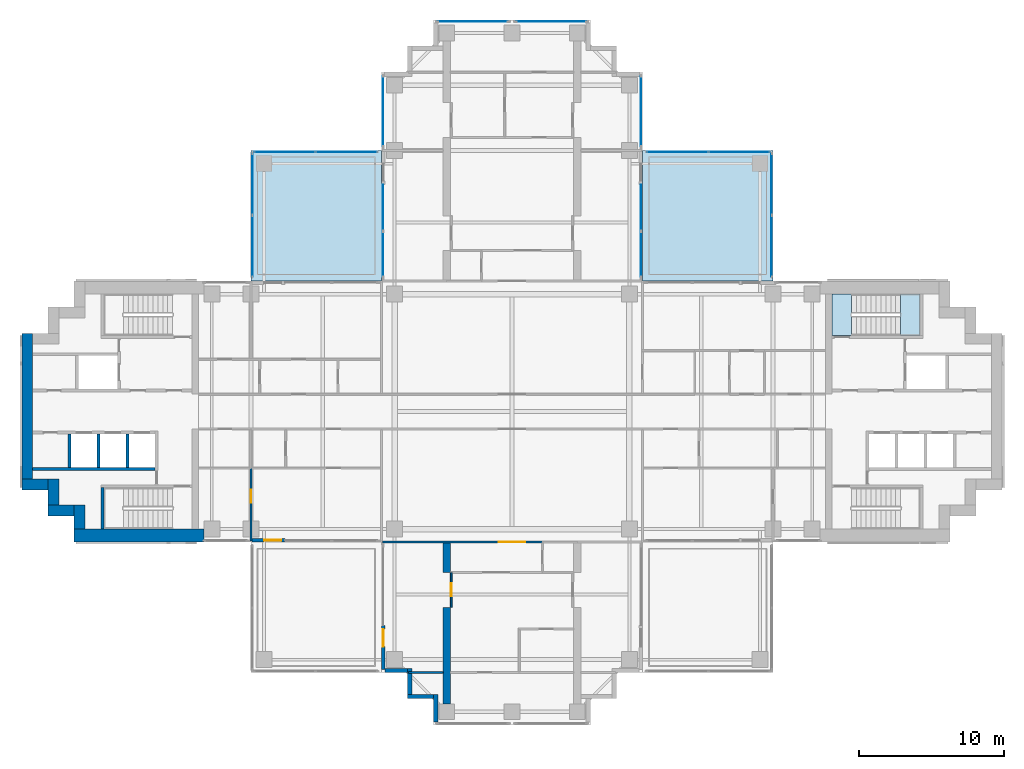
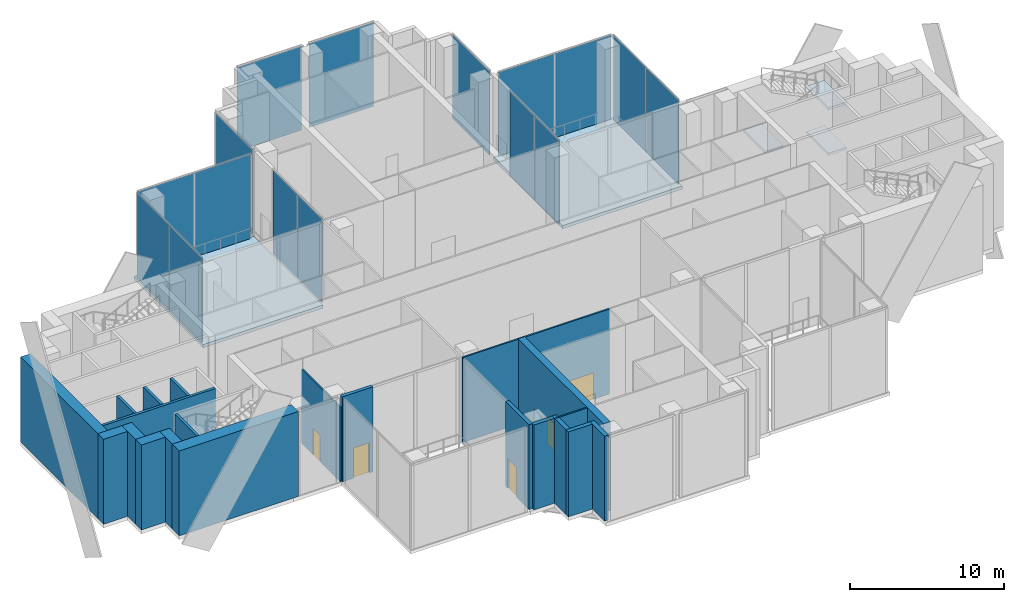
# One storey, part 8 of 17: 22 walls, 16 plates, 5 doors, 5 slabs, 5 openings, 11 elements without a shape of their own.
"""IFC4 building model written with IfcOpenShell, lengths in metres."""

import ifcopenshell
import ifcopenshell.guid

model = None  # the IFC model being written
_history = None  # IfcOwnerHistory: only IFC2X3 demands one
_inside = {}  # id of a spatial element -> (the spatial element, [elements in it])
_under = {}  # id of a project, library or spatial element -> (it, [spatial elements below it])
_declared = {}  # id of a project -> (the project, [libraries it declares])
_typed = {}  # id of a type object -> (the type object, [elements of that type])
_made_of = {}  # id of a material, layer set ... -> (it, [elements and type objects made of it])


def new_model(schema):
    """Start an empty IFC model of exactly this schema.

    Asked for "IFC4X3", IfcOpenShell would pick the latest addendum, in which some entities
    have other attributes; the version numbers below select the first issue.
    IFC2X3 requires an IfcOwnerHistory on every rooted entity: one is made here for all.
    """
    global model, _history
    if schema == "IFC4X3":
        model = ifcopenshell.file(schema_version=(4, 3, 0, 0))
    else:
        model = ifcopenshell.file(schema=schema)
    _inside.clear()
    _under.clear()
    _declared.clear()
    _typed.clear()
    _made_of.clear()
    _history = None
    if model.schema == "IFC2X3":
        org = make("IfcOrganization", Name="unknown")
        user = make(
            "IfcPersonAndOrganization",
            ThePerson=make("IfcPerson", FamilyName="unknown"),
            TheOrganization=org,
        )
        app = make(
            "IfcApplication",
            ApplicationDeveloper=org,
            Version="unknown",
            ApplicationFullName="unknown",
            ApplicationIdentifier="unknown",
        )
        _history = make(
            "IfcOwnerHistory",
            OwningUser=user,
            OwningApplication=app,
            ChangeAction="ADDED",
            CreationDate=0,
        )
    return model


def make(cls, **values):
    """One entity of the class cls with the attributes given. An attribute that is None is left unset."""
    return model.create_entity(
        cls, **{name: value for name, value in values.items() if value is not None}
    )


def rooted(cls, **values):
    """An entity with a GlobalId (a new one), such as an element, a storey or a relation."""
    return make(cls, GlobalId=ifcopenshell.guid.new(), OwnerHistory=_history, **values)


def si_unit(unit_type, name, prefix=None):
    """IfcSIUnit, for example si_unit("LENGTHUNIT", "METRE", prefix="MILLI")."""
    return make("IfcSIUnit", UnitType=unit_type, Prefix=prefix, Name=name)


def assignment(units):
    """IfcUnitAssignment: the units of a project."""
    return None if units is None else make("IfcUnitAssignment", Units=units)


def point(xyz):
    """IfcCartesianPoint."""
    return None if xyz is None else make("IfcCartesianPoint", Coordinates=xyz)


def direction(xyz):
    """IfcDirection."""
    return None if xyz is None else make("IfcDirection", DirectionRatios=xyz)


def frame(location, z_axis=None, x_axis=None):
    """IfcAxis2Placement3D, a coordinate frame: its origin and axes. An axis left out is left unset."""
    return make(
        "IfcAxis2Placement3D",
        Location=point(location),
        Axis=direction(z_axis),
        RefDirection=direction(x_axis),
    )


def frame_2d(location, x_axis=None):
    """IfcAxis2Placement2D, a coordinate frame in the plane: its origin and x axis."""
    return make(
        "IfcAxis2Placement2D", Location=point(location), RefDirection=direction(x_axis)
    )


def origin():
    """The frame at (0, 0, 0) with its axes left unset."""
    return frame((0.0, 0.0, 0.0))


def origin_2d():
    """The frame at (0, 0) in the plane with its x axis left unset."""
    return frame_2d((0.0, 0.0))


def place(relative_to, where):
    """IfcLocalPlacement: puts the frame where relative to a parent placement (None: the world)."""
    return make(
        "IfcLocalPlacement", PlacementRelTo=relative_to, RelativePlacement=where
    )


def context(
    kind, dimensions, precision=None, world=None, true_north=None, identifier=None
):
    """IfcGeometricRepresentationContext, for example the 3D "Model" context."""
    return make(
        "IfcGeometricRepresentationContext",
        ContextIdentifier=identifier,
        ContextType=kind,
        CoordinateSpaceDimension=dimensions,
        Precision=precision,
        WorldCoordinateSystem=world,
        TrueNorth=true_north,
    )


def subcontext(parent, identifier, kind, view, scale=None):
    """IfcGeometricRepresentationSubContext, for example "Body" below "Model"."""
    return make(
        "IfcGeometricRepresentationSubContext",
        ContextIdentifier=identifier,
        ContextType=kind,
        ParentContext=parent,
        TargetScale=scale,
        TargetView=view,
    )


def project(units=None, contexts=None):
    """IfcProject with its units and contexts."""
    return rooted(
        "IfcProject",
        Name="project",
        RepresentationContexts=contexts,
        UnitsInContext=assignment(units),
    )


def spatial(cls, under=None, at=None, **own):
    """A site, building, storey or space (cls), placed at a placement, below another one or the project."""
    s = rooted(cls, ObjectPlacement=at, **own)
    if under is not None:
        _under.setdefault(under.id(), (under, []))[1].append(s)
    return s


def polyline(points):
    """IfcPolyline through the points."""
    return make("IfcPolyline", Points=[point(p) for p in points])


def profile(cls, at=None, kind="AREA", **sizes):
    """A parametric profile (cls). Its sizes go by their IFC names, for example OverallWidth=200.0."""
    return make(cls, ProfileType=kind, Position=at, **sizes)


def rectangle(**sizes):
    """IfcRectangleProfileDef."""
    return profile("IfcRectangleProfileDef", **sizes)


def outline(outer, holes=None, kind="AREA"):
    """IfcArbitraryClosedProfileDef: a profile drawn as a closed curve; with holes, ...WithVoids."""
    if holes is None:
        return make("IfcArbitraryClosedProfileDef", ProfileType=kind, OuterCurve=outer)
    return make(
        "IfcArbitraryProfileDefWithVoids",
        ProfileType=kind,
        OuterCurve=outer,
        InnerCurves=holes,
    )


def extrude(swept, where, along, depth):
    """IfcExtrudedAreaSolid: the profile swept, set in the frame where, extruded along a direction by depth."""
    return make(
        "IfcExtrudedAreaSolid",
        SweptArea=swept,
        Position=where,
        ExtrudedDirection=direction(along),
        Depth=depth,
    )


def shape(context_of_items, identifier, shape_type, items):
    """IfcShapeRepresentation: the items that make up one representation, for example the "Body"."""
    return make(
        "IfcShapeRepresentation",
        ContextOfItems=context_of_items,
        RepresentationIdentifier=identifier,
        RepresentationType=shape_type,
        Items=items,
    )


def material(Name=None, Category=None):
    """IfcMaterial."""
    return make("IfcMaterial", Name=Name, Category=Category)


def layer(
    of_material, thickness, ventilated=None, Name=None, Category=None, Priority=None
):
    """IfcMaterialLayer: one layer of a wall or slab, of a material (None: an air gap)."""
    return make(
        "IfcMaterialLayer",
        Material=of_material,
        LayerThickness=thickness,
        IsVentilated=ventilated,
        Name=Name,
        Category=Category,
        Priority=Priority,
    )


def layer_set(layers, Name=None):
    """IfcMaterialLayerSet."""
    return make("IfcMaterialLayerSet", MaterialLayers=layers, LayerSetName=Name)


def material_profile(
    of_material, cross_section, Name=None, Category=None, Priority=None
):
    """IfcMaterialProfile: a cross section and its material."""
    return make(
        "IfcMaterialProfile",
        Name=Name,
        Material=of_material,
        Profile=cross_section,
        Priority=Priority,
        Category=Category,
    )


def profile_set(profiles, Name=None, composite=None):
    """IfcMaterialProfileSet."""
    return make(
        "IfcMaterialProfileSet",
        Name=Name,
        MaterialProfiles=profiles,
        CompositeProfile=composite,
    )


def made_of(thing, what):
    """Note that an element or type object is made of a material, layer set ...; save() writes the relation."""
    if what is not None:
        _made_of.setdefault(what.id(), (what, []))[1].append(thing)
    return thing


def type_object(cls, material=None, **own):
    """A type object (cls), such as IfcWallType, which elements share."""
    return made_of(rooted(cls, **own), material)


def element(
    cls,
    number,
    at=None,
    inside=None,
    cuts=None,
    type_object=None,
    material=None,
    context=None,
    identifier="Body",
    shape_type=None,
    held_by="IfcProductDefinitionShape",
    body=None,
    shapes=None,
    **own,
):
    """One element of the class cls, such as IfcWall. Its Tag is "e" and its number.

    at: its placement. inside: the storey or other place that contains it. cuts: it is an
    opening in that element (IfcRelVoidsElement). A single representation is given by context,
    identifier, shape_type and body (its items); several are given by shapes. held_by: the class
    of the entity that holds the representations. save() writes the other relations.
    """
    e = rooted(cls, Tag="e%d" % number, ObjectPlacement=at, **own)
    if body is not None:
        shapes = [shape(context, identifier, shape_type, body)]
    if shapes is not None:
        e.Representation = make(held_by, Representations=shapes)
    if inside is not None:
        _inside.setdefault(inside.id(), (inside, []))[1].append(e)
    if cuts is not None:
        rooted(
            "IfcRelVoidsElement", RelatingBuildingElement=cuts, RelatedOpeningElement=e
        )
    if type_object is not None:
        _typed.setdefault(type_object.id(), (type_object, []))[1].append(e)
    return made_of(e, material)


def fill(opening, filler):
    """IfcRelFillsElement: the door or window that sits in an opening."""
    return rooted(
        "IfcRelFillsElement",
        RelatingOpeningElement=opening,
        RelatedBuildingElement=filler,
    )


def aggregate(whole, parts):
    """IfcRelAggregates: a whole, such as a stair, and the parts it consists of."""
    return rooted("IfcRelAggregates", RelatingObject=whole, RelatedObjects=parts)


def save(model, path):
    """Write the relations noted so far, then the file.

    IfcRelAggregates (storeys below a building ...), IfcRelContainedInSpatialStructure (elements
    in a storey), IfcRelDefinesByType, IfcRelAssociatesMaterial and IfcRelDeclares: one each for
    every whole, place, type object, material and project.
    """
    for whole, parts in _under.values():
        aggregate(whole, parts)
    for where, things in _inside.values():
        rooted(
            "IfcRelContainedInSpatialStructure",
            RelatedElements=things,
            RelatingStructure=where,
        )
    for kind, things in _typed.values():
        rooted("IfcRelDefinesByType", RelatedObjects=things, RelatingType=kind)
    for what, things in _made_of.values():
        rooted("IfcRelAssociatesMaterial", RelatedObjects=things, RelatingMaterial=what)
    for by, libraries in _declared.values():
        rooted("IfcRelDeclares", RelatingContext=by, RelatedDefinitions=libraries)
    model.write(path)


model = new_model("IFC4")

# Units and contexts
model_context = context("Model", 3, precision=1e-05, world=origin(), true_north=direction((0.0, 1.0)))
body_context = subcontext(model_context, "Body", "Model", "MODEL_VIEW")
ifc_project = project(units=[si_unit("LENGTHUNIT", "METRE"), si_unit("AREAUNIT", "SQUARE_METRE"), si_unit("VOLUMEUNIT", "CUBIC_METRE"), si_unit("PLANEANGLEUNIT", "RADIAN"), si_unit("MASSUNIT", "GRAM", prefix="KILO")], contexts=[model_context])

# Site, building, storey
site_placement = place(None, origin())
site = spatial("IfcSite", under=ifc_project, at=site_placement, CompositionType="ELEMENT")
building_placement = place(site_placement, origin())
building = spatial("IfcBuilding", under=site, at=building_placement, Name="Perihelion Cross Residences", CompositionType="ELEMENT")
storey_placement = place(building_placement, frame((0.0, 0.0, 154.89990234375)))
storey = spatial("IfcBuildingStorey", under=building, at=storey_placement, Name="L38", CompositionType="ELEMENT", Elevation=154.89990234375)

# Curtain wall, plates
ifc_material_1 = material(Name="Bronze anodised aluminium, tinted glazing", Category="aluminium")
curtain_wall_type_1 = type_object("IfcCurtainWallType", Name="CW3", PredefinedType="NOTDEFINED", material=ifc_material_1)
curtain_wall_1_placement = place(storey_placement, origin())
curtain_wall_1 = element("IfcCurtainWall", 1, at=curtain_wall_1_placement, inside=storey, type_object=curtain_wall_type_1, Name="Curtain wall CW3 L38 north side east bay 1", PredefinedType="NOTDEFINED")
ifc_material_2 = material(Name="Tinted laminated glass", Category="glass")
ifc_layer_1 = layer(ifc_material_2, 0.035888671875)
ifc_layer_set_1 = layer_set([ifc_layer_1], Name="CW3 panel")
plate_type_1 = type_object("IfcPlateType", Name="CW3 panel", PredefinedType="CURTAIN_PANEL", material=ifc_layer_set_1)
plate_1_placement = place(storey_placement, frame((8.89990234375, 10.83251953125, 0.000244140625), z_axis=(0.0, 0.0, 1.0), x_axis=(0.0, 1.0, 0.0)))
plate_1 = element("IfcPlate", 2, at=plate_1_placement, type_object=plate_type_1, Name="CW3 panel 1", PredefinedType="CURTAIN_PANEL", context=body_context, shape_type="SweptSolid", body=[
    extrude(rectangle(XDim=3.10498046875, YDim=0.035888671875, at=origin_2d()), origin(), (0.0, 0.0, 1.0), 6.669921875),
])
plate_2_placement = place(storey_placement, frame((8.89990234375, 14.0576171875, 0.000244140625), z_axis=(0.0, 0.0, 1.0), x_axis=(0.0, 1.0, 0.0)))
plate_2 = element("IfcPlate", 3, at=plate_2_placement, type_object=plate_type_1, Name="CW3 panel 2", PredefinedType="CURTAIN_PANEL", context=body_context, shape_type="SweptSolid", body=[
    extrude(rectangle(XDim=3.18505859375, YDim=0.035888671875, at=origin_2d()), origin(), (0.0, 0.0, 1.0), 6.669921875),
])
aggregate(curtain_wall_1, [plate_1, plate_2])

# Curtain wall, plate
curtain_wall_2_placement = place(storey_placement, origin())
curtain_wall_2 = element("IfcCurtainWall", 4, at=curtain_wall_2_placement, inside=storey, type_object=curtain_wall_type_1, Name="Curtain wall CW3 L38 north side east bay 2", PredefinedType="NOTDEFINED")
plate_3_placement = place(storey_placement, frame((8.89990234375, 20.699951171875, 0.000244140625), z_axis=(0.0, 0.0, 1.0), x_axis=(0.0, 1.0, 0.0)))
plate_3 = element("IfcPlate", 5, at=plate_3_placement, type_object=plate_type_1, Name="CW3 panel 1", PredefinedType="CURTAIN_PANEL", context=body_context, shape_type="SweptSolid", body=[
    extrude(rectangle(XDim=4.840087890625, YDim=0.035888671875, at=origin_2d()), origin(), (0.0, 0.0, 1.0), 6.669921875),
])
aggregate(curtain_wall_2, [plate_3])

curtain_wall_3_placement = place(storey_placement, origin())
curtain_wall_3 = element("IfcCurtainWall", 6, at=curtain_wall_3_placement, inside=storey, type_object=curtain_wall_type_1, Name="Curtain wall CW3 L38 north tip north bay 1", PredefinedType="NOTDEFINED")
plate_4_placement = place(storey_placement, frame((2.699951171875, 26.89990234375, 0.000244140625), z_axis=(0.0, 0.0, 1.0), x_axis=(-1.0, 0.0, 0.0)))
plate_4 = element("IfcPlate", 7, at=plate_4_placement, type_object=plate_type_1, Name="CW3 panel 1", PredefinedType="CURTAIN_PANEL", context=body_context, shape_type="SweptSolid", body=[
    extrude(rectangle(XDim=4.840087890625, YDim=0.035888671875, at=origin_2d()), origin(), (0.0, 0.0, 1.0), 6.669921875),
])
aggregate(curtain_wall_3, [plate_4])

curtain_wall_4_placement = place(storey_placement, origin())
curtain_wall_4 = element("IfcCurtainWall", 8, at=curtain_wall_4_placement, inside=storey, type_object=curtain_wall_type_1, Name="Curtain wall CW3 L38 north tip north bay 2", PredefinedType="NOTDEFINED")
plate_5_placement = place(storey_placement, frame((-2.699951171875, 26.89990234375, 0.000244140625), z_axis=(0.0, 0.0, 1.0), x_axis=(-1.0, 0.0, 0.0)))
plate_5 = element("IfcPlate", 9, at=plate_5_placement, type_object=plate_type_1, Name="CW3 panel 1", PredefinedType="CURTAIN_PANEL", context=body_context, shape_type="SweptSolid", body=[
    extrude(rectangle(XDim=4.840087890625, YDim=0.035888671875, at=origin_2d()), origin(), (0.0, 0.0, 1.0), 6.669921875),
])
aggregate(curtain_wall_4, [plate_5])

curtain_wall_5_placement = place(storey_placement, origin())
curtain_wall_5 = element("IfcCurtainWall", 10, at=curtain_wall_5_placement, inside=storey, type_object=curtain_wall_type_1, Name="Curtain wall CW3 L38 north side west bay 1", PredefinedType="NOTDEFINED")
plate_6_placement = place(storey_placement, frame((-8.89990234375, 20.699951171875, 0.000244140625), z_axis=(0.0, 0.0, 1.0), x_axis=(0.0, -1.0, 0.0)))
plate_6 = element("IfcPlate", 11, at=plate_6_placement, type_object=plate_type_1, Name="CW3 panel 1", PredefinedType="CURTAIN_PANEL", context=body_context, shape_type="SweptSolid", body=[
    extrude(rectangle(XDim=4.840087890625, YDim=0.035888671875, at=origin_2d()), origin(), (0.0, 0.0, 1.0), 6.669921875),
])
aggregate(curtain_wall_5, [plate_6])

# Curtain wall, plates
curtain_wall_6_placement = place(storey_placement, origin())
curtain_wall_6 = element("IfcCurtainWall", 12, at=curtain_wall_6_placement, inside=storey, type_object=curtain_wall_type_1, Name="Curtain wall CW3 L38 north side west bay 2", PredefinedType="NOTDEFINED")
plate_7_placement = place(storey_placement, frame((-8.89990234375, 14.0576171875, 0.000244140625), z_axis=(0.0, 0.0, 1.0), x_axis=(0.0, -1.0, 0.0)))
plate_7 = element("IfcPlate", 13, at=plate_7_placement, type_object=plate_type_1, Name="CW3 panel 1", PredefinedType="CURTAIN_PANEL", context=body_context, shape_type="SweptSolid", body=[
    extrude(rectangle(XDim=3.18505859375, YDim=0.035888671875, at=origin_2d()), origin(), (0.0, 0.0, 1.0), 6.669921875),
])
plate_8_placement = place(storey_placement, frame((-8.89990234375, 10.83251953125, 0.000244140625), z_axis=(0.0, 0.0, 1.0), x_axis=(0.0, -1.0, 0.0)))
plate_8 = element("IfcPlate", 14, at=plate_8_placement, type_object=plate_type_1, Name="CW3 panel 2", PredefinedType="CURTAIN_PANEL", context=body_context, shape_type="SweptSolid", body=[
    extrude(rectangle(XDim=3.10498046875, YDim=0.035888671875, at=origin_2d()), origin(), (0.0, 0.0, 1.0), 6.669921875),
])
aggregate(curtain_wall_6, [plate_7, plate_8])

ifc_material_3 = material(Name="Bronze anodised aluminium, tinted glazing", Category="aluminium")
curtain_wall_type_2 = type_object("IfcCurtainWallType", Name="CW4", PredefinedType="NOTDEFINED", material=ifc_material_3)
curtain_wall_7_placement = place(storey_placement, origin())
curtain_wall_7 = element("IfcCurtainWall", 15, at=curtain_wall_7_placement, inside=storey, type_object=curtain_wall_type_2, Name="Curtain wall CW4 L38 pocket north-east 1 1", PredefinedType="NOTDEFINED")
ifc_material_4 = material(Name="Tinted laminated glass", Category="glass")
ifc_layer_2 = layer(ifc_material_4, 0.030029296875)
ifc_layer_set_2 = layer_set([ifc_layer_2], Name="CW4 panel")
plate_type_2 = type_object("IfcPlateType", Name="CW4 panel", PredefinedType="CURTAIN_PANEL", material=ifc_layer_set_2)
plate_9_placement = place(storey_placement, frame((11.409912109375, 17.89990234375, 0.000244140625), z_axis=(0.0, 0.0, 1.0), x_axis=(1.0, 0.0, 0.0)))
plate_9 = element("IfcPlate", 16, at=plate_9_placement, type_object=plate_type_2, Name="CW4 panel 1", PredefinedType="CURTAIN_PANEL", context=body_context, shape_type="SweptSolid", body=[
    extrude(rectangle(XDim=4.199951171875, YDim=0.030029296875, at=origin_2d()), origin(), (0.0, 0.0, 1.0), 6.68994140625),
])
plate_10_placement = place(storey_placement, frame((15.669921875, 17.89990234375, 0.000244140625), z_axis=(0.0, 0.0, 1.0), x_axis=(1.0, 0.0, 0.0)))
plate_10 = element("IfcPlate", 17, at=plate_10_placement, type_object=plate_type_2, Name="CW4 panel 2", PredefinedType="CURTAIN_PANEL", context=body_context, shape_type="SweptSolid", body=[
    extrude(rectangle(XDim=4.199951171875, YDim=0.030029296875, at=origin_2d()), origin(), (0.0, 0.0, 1.0), 6.68994140625),
])
aggregate(curtain_wall_7, [plate_9, plate_10])

curtain_wall_8_placement = place(storey_placement, origin())
curtain_wall_8 = element("IfcCurtainWall", 18, at=curtain_wall_8_placement, inside=storey, type_object=curtain_wall_type_2, Name="Curtain wall CW4 L38 pocket north-east 1 2", PredefinedType="NOTDEFINED")
plate_11_placement = place(storey_placement, frame((17.89990234375, 15.669921875, 0.000244140625), z_axis=(0.0, 0.0, 1.0), x_axis=(0.0, -1.0, 0.0)))
plate_11 = element("IfcPlate", 19, at=plate_11_placement, type_object=plate_type_2, Name="CW4 panel 1", PredefinedType="CURTAIN_PANEL", context=body_context, shape_type="SweptSolid", body=[
    extrude(rectangle(XDim=4.199951171875, YDim=0.030029296875, at=origin_2d()), origin(), (0.0, 0.0, 1.0), 6.68994140625),
])
plate_12_placement = place(storey_placement, frame((17.89990234375, 11.409912109375, 0.000244140625), z_axis=(0.0, 0.0, 1.0), x_axis=(0.0, -1.0, 0.0)))
plate_12 = element("IfcPlate", 20, at=plate_12_placement, type_object=plate_type_2, Name="CW4 panel 2", PredefinedType="CURTAIN_PANEL", context=body_context, shape_type="SweptSolid", body=[
    extrude(rectangle(XDim=4.199951171875, YDim=0.030029296875, at=origin_2d()), origin(), (0.0, 0.0, 1.0), 6.68994140625),
])
aggregate(curtain_wall_8, [plate_11, plate_12])

curtain_wall_9_placement = place(storey_placement, origin())
curtain_wall_9 = element("IfcCurtainWall", 21, at=curtain_wall_9_placement, inside=storey, type_object=curtain_wall_type_2, Name="Curtain wall CW4 L38 pocket north-west 1 1", PredefinedType="NOTDEFINED")
plate_13_placement = place(storey_placement, frame((-17.89990234375, 11.409912109375, 0.000244140625), z_axis=(0.0, 0.0, 1.0), x_axis=(0.0, 1.0, 0.0)))
plate_13 = element("IfcPlate", 22, at=plate_13_placement, type_object=plate_type_2, Name="CW4 panel 1", PredefinedType="CURTAIN_PANEL", context=body_context, shape_type="SweptSolid", body=[
    extrude(rectangle(XDim=4.199951171875, YDim=0.030029296875, at=origin_2d()), origin(), (0.0, 0.0, 1.0), 6.68994140625),
])
plate_14_placement = place(storey_placement, frame((-17.89990234375, 15.669921875, 0.000244140625), z_axis=(0.0, 0.0, 1.0), x_axis=(0.0, 1.0, 0.0)))
plate_14 = element("IfcPlate", 23, at=plate_14_placement, type_object=plate_type_2, Name="CW4 panel 2", PredefinedType="CURTAIN_PANEL", context=body_context, shape_type="SweptSolid", body=[
    extrude(rectangle(XDim=4.199951171875, YDim=0.030029296875, at=origin_2d()), origin(), (0.0, 0.0, 1.0), 6.68994140625),
])
aggregate(curtain_wall_9, [plate_13, plate_14])

curtain_wall_10_placement = place(storey_placement, origin())
curtain_wall_10 = element("IfcCurtainWall", 24, at=curtain_wall_10_placement, inside=storey, type_object=curtain_wall_type_2, Name="Curtain wall CW4 L38 pocket north-west 1 2", PredefinedType="NOTDEFINED")
plate_15_placement = place(storey_placement, frame((-15.669921875, 17.89990234375, 0.000244140625), z_axis=(0.0, 0.0, 1.0), x_axis=(1.0, 0.0, 0.0)))
plate_15 = element("IfcPlate", 25, at=plate_15_placement, type_object=plate_type_2, Name="CW4 panel 1", PredefinedType="CURTAIN_PANEL", context=body_context, shape_type="SweptSolid", body=[
    extrude(rectangle(XDim=4.199951171875, YDim=0.030029296875, at=origin_2d()), origin(), (0.0, 0.0, 1.0), 6.68994140625),
])
plate_16_placement = place(storey_placement, frame((-11.409912109375, 17.89990234375, 0.000244140625), z_axis=(0.0, 0.0, 1.0), x_axis=(1.0, 0.0, 0.0)))
plate_16 = element("IfcPlate", 26, at=plate_16_placement, type_object=plate_type_2, Name="CW4 panel 2", PredefinedType="CURTAIN_PANEL", context=body_context, shape_type="SweptSolid", body=[
    extrude(rectangle(XDim=4.199951171875, YDim=0.030029296875, at=origin_2d()), origin(), (0.0, 0.0, 1.0), 6.68994140625),
])
aggregate(curtain_wall_10, [plate_15, plate_16])

# Stair, slabs
ifc_material_5 = material(Name="Concrete C40/50", Category="concrete")
stair_type = type_object("IfcStairType", Name="Exit stair, half-turn", PredefinedType="HALF_TURN_STAIR", material=ifc_material_5)
stair_placement = place(storey_placement, origin())
stair = element("IfcStair", 27, at=stair_placement, inside=storey, type_object=stair_type, Name="L38 East core exit stair 1", PredefinedType="HALF_TURN_STAIR")
ifc_material_6 = material(Name="Concrete C40/50", Category="concrete")
ifc_layer_3 = layer(ifc_material_6, 0.199951171875)
ifc_layer_set_3 = layer_set([ifc_layer_3], Name="Exit stair landing 200")
slab_type_1 = type_object("IfcSlabType", Name="Exit stair landing 200", PredefinedType="LANDING", material=ifc_layer_set_3)
slab_1_placement = place(storey_placement, frame((0.0, 0.0, 1.60009765625)))
slab_1 = element("IfcSlab", 28, at=slab_1_placement, type_object=slab_type_1, Name="ST-E1 landing 1", PredefinedType="LANDING", context=body_context, shape_type="SweptSolid", body=[
    extrude(outline(polyline([(26.800048828125, 5.25), (28.14990234375, 5.25), (28.14990234375, 8.10009765625), (26.800048828125, 8.10009765625), (26.800048828125, 5.25)])), origin(), (0.0, 0.0, 1.0), 0.199951171875),
])
slab_2_placement = place(storey_placement, frame((0.0, 0.0, 3.400146484375)))
slab_2 = element("IfcSlab", 29, at=slab_2_placement, type_object=slab_type_1, Name="ST-E1 landing 2", PredefinedType="LANDING", context=body_context, shape_type="SweptSolid", body=[
    extrude(outline(polyline([(22.050048828125, 5.25), (23.39990234375, 5.25), (23.39990234375, 8.10009765625), (22.050048828125, 8.10009765625), (22.050048828125, 5.25)])), origin(), (0.0, 0.0, 1.0), 0.199951171875),
])
slab_3_placement = place(storey_placement, frame((0.0, 0.0, 5.2001953125)))
slab_3 = element("IfcSlab", 30, at=slab_3_placement, type_object=slab_type_1, Name="ST-E1 landing 3", PredefinedType="LANDING", context=body_context, shape_type="SweptSolid", body=[
    extrude(outline(polyline([(26.800048828125, 5.25), (28.14990234375, 5.25), (28.14990234375, 8.10009765625), (26.800048828125, 8.10009765625), (26.800048828125, 5.25)])), origin(), (0.0, 0.0, 1.0), 0.199951171875),
])
aggregate(stair, [slab_1, slab_2, slab_3])

# Slabs
ifc_material_7 = material(Name="Concrete C40/50", Category="concrete")
ifc_layer_4 = layer(ifc_material_7, 0.25)
ifc_layer_set_4 = layer_set([ifc_layer_4], Name="Winter garden slab")
slab_type_2 = type_object("IfcSlabType", Name="Winter garden slab", PredefinedType="FLOOR", material=ifc_layer_set_4)
slab_4_placement = place(storey_placement, frame((0.0, 0.0, -0.25)))
element("IfcSlab", 31, at=slab_4_placement, inside=storey, type_object=slab_type_2, Name="Slab BK3 L38 pocket north-east", PredefinedType="FLOOR", context=body_context, shape_type="SweptSolid", body=[
    extrude(outline(polyline([(18.0, 9.0), (18.0, 18.0), (9.0, 18.0), (9.0, 9.0), (18.0, 9.0)])), origin(), (0.0, 0.0, 1.0), 0.25),
])
slab_5_placement = place(storey_placement, frame((0.0, 0.0, -0.25)))
element("IfcSlab", 32, at=slab_5_placement, inside=storey, type_object=slab_type_2, Name="Slab BK3 L38 pocket north-west", PredefinedType="FLOOR", context=body_context, shape_type="SweptSolid", body=[
    extrude(outline(polyline([(-9.0, 9.0), (-9.0, 18.0), (-18.0, 18.0), (-18.0, 9.0), (-9.0, 9.0)])), origin(), (0.0, 0.0, 1.0), 0.25),
])

# Wall, opening, door
ifc_material_8 = material(Name="Concrete C30/37, bronze-clad", Category="concrete")
ifc_layer_5 = layer(ifc_material_8, 0.25)
ifc_layer_set_5 = layer_set([ifc_layer_5], Name="Bronze-clad pier wall 250")
wall_type_1 = type_object("IfcWallType", Name="Bronze-clad pier wall 250", PredefinedType="SOLIDWALL", material=ifc_layer_set_5)
wall_1_placement = place(storey_placement, frame((-17.93994140625, -8.875, 0.0), z_axis=(0.0, 0.0, 1.0), x_axis=(1.0, 0.0, 0.0)))
wall_1 = element("IfcWall", 33, at=wall_1_placement, inside=storey, type_object=wall_type_1, Name="Wall FW1 L38 west side south bay 2 pier", PredefinedType="SOLIDWALL", context=body_context, shape_type="SweptSolid", body=[
    extrude(rectangle(XDim=2.2900390625, YDim=0.25, at=frame_2d((1.14501953125, 0.0))), origin(), (0.0, 0.0, 1.0), 6.75),
])
opening_1_placement = place(wall_1_placement, frame((0.840087890625, 0.0, 0.0)))
opening_1 = element("IfcOpeningElement", 34, at=opening_1_placement, cuts=wall_1, Name="Opening L38.E05", PredefinedType="OPENING", context=body_context, shape_type="SweptSolid", body=[
    extrude(rectangle(XDim=1.199951171875, YDim=2.39990234375, at=frame_2d((0.60009765625, 1.199951171875))), frame((0.0, 0.135009765625, 0.0), z_axis=(0.0, -1.0, 0.0), x_axis=(1.0, 0.0, 0.0)), (0.0, 0.0, 1.0), 0.27001953125),
])
ifc_material_9 = material(Name="Bronze anodised aluminium, glazed", Category="aluminium")
door_type_1 = type_object("IfcDoorType", Name="Balcony door 1200 x 2400", OperationType="NOTDEFINED", PredefinedType="DOOR", material=ifc_material_9)
door_1_placement = place(opening_1_placement, origin())
door_1 = element("IfcDoor", 35, at=door_1_placement, inside=storey, type_object=door_type_1, Name="Door L38.E05 west side south bay 2", OperationType="SINGLE_SWING_RIGHT", OverallHeight=2.39990234375, OverallWidth=1.199951171875, PredefinedType="DOOR", context=body_context, shape_type="SweptSolid", body=[
    extrude(rectangle(XDim=1.199951171875, YDim=2.39990234375, at=frame_2d((0.60009765625, 1.199951171875))), frame((0.0, 0.02490234375, 0.0), z_axis=(0.0, -1.0, 0.0), x_axis=(1.0, 0.0, 0.0)), (0.0, 0.0, 1.0), 0.050048828125),
])
fill(opening_1, door_1)

wall_2_placement = place(storey_placement, frame((-8.875, -14.75, 0.0), z_axis=(0.0, 0.0, 1.0), x_axis=(0.0, -1.0, 0.0)))
wall_2 = element("IfcWall", 36, at=wall_2_placement, inside=storey, type_object=wall_type_1, Name="Wall FW1 L38 south side west bay 1 pier", PredefinedType="SOLIDWALL", context=body_context, shape_type="SweptSolid", body=[
    extrude(rectangle(XDim=3.050048828125, YDim=0.25, at=frame_2d((1.52490234375, 0.0))), origin(), (0.0, 0.0, 1.0), 6.75),
])
opening_2_placement = place(wall_2_placement, frame((0.25, 0.0, 0.0)))
opening_2 = element("IfcOpeningElement", 37, at=opening_2_placement, cuts=wall_2, Name="Opening L38.E06", PredefinedType="OPENING", context=body_context, shape_type="SweptSolid", body=[
    extrude(rectangle(XDim=1.199951171875, YDim=2.39990234375, at=frame_2d((0.60009765625, 1.199951171875))), frame((0.0, 0.135009765625, 0.0), z_axis=(0.0, -1.0, 0.0), x_axis=(1.0, 0.0, 0.0)), (0.0, 0.0, 1.0), 0.27001953125),
])
door_2_placement = place(opening_2_placement, origin())
door_2 = element("IfcDoor", 38, at=door_2_placement, inside=storey, type_object=door_type_1, Name="Door L38.E06 south side west bay 1", OperationType="SINGLE_SWING_LEFT", OverallHeight=2.39990234375, OverallWidth=1.199951171875, PredefinedType="DOOR", context=body_context, shape_type="SweptSolid", body=[
    extrude(rectangle(XDim=1.199951171875, YDim=2.39990234375, at=frame_2d((0.60009765625, 1.199951171875))), frame((0.0, 0.02490234375, 0.0), z_axis=(0.0, -1.0, 0.0), x_axis=(1.0, 0.0, 0.0)), (0.0, 0.0, 1.0), 0.050048828125),
])
fill(opening_2, door_2)

# Walls
ifc_material_10 = material(Name="Concrete C30/37, bronze-clad", Category="concrete")
ifc_layer_6 = layer(ifc_material_10, 0.300048828125)
ifc_layer_set_6 = layer_set([ifc_layer_6], Name="Bronze-clad serration wall 300")
wall_type_2 = type_object("IfcWallType", Name="Bronze-clad serration wall 300", PredefinedType="SOLIDWALL", material=ifc_layer_set_6)
wall_3_placement = place(storey_placement, frame((-8.75, -17.85009765625, 0.0), z_axis=(0.0, 0.0, 1.0), x_axis=(1.0, 0.0, 0.0)))
element("IfcWall", 39, at=wall_3_placement, inside=storey, type_object=wall_type_2, Name="Wall SR1 L38 south corner south-west 1", PredefinedType="SOLIDWALL", context=body_context, shape_type="SweptSolid", body=[
    extrude(rectangle(XDim=1.550048828125, YDim=0.300048828125, at=frame_2d((0.77490234375, 0.0))), origin(), (0.0, 0.0, 1.0), 6.75),
])
for number, where, z_axis, x_axis, name in (
    (40, (-7.050048828125, -17.699951171875, 0.0), (0.0, 0.0, 1.0), (0.0, -1.0, 0.0), "Wall SR1 L38 south corner south-west 2"),
    (41, (-7.199951171875, -19.64990234375, 0.0), (0.0, 0.0, 1.0), (1.0, 0.0, 0.0), "Wall SR1 L38 south corner south-west 3"),
):
    element("IfcWall", number, at=place(storey_placement, frame(where, z_axis=z_axis, x_axis=x_axis)), inside=storey, type_object=wall_type_2, Name=name, PredefinedType="SOLIDWALL", context=body_context, shape_type="SweptSolid", body=[
        extrude(rectangle(XDim=1.800048828125, YDim=0.300048828125, at=frame_2d((0.89990234375, 0.0))), origin(), (0.0, 0.0, 1.0), 6.75),
    ])
wall_4_placement = place(storey_placement, frame((-5.25, -19.5, 0.0), z_axis=(0.0, 0.0, 1.0), x_axis=(0.0, -1.0, 0.0)))
element("IfcWall", 42, at=wall_4_placement, inside=storey, type_object=wall_type_2, Name="Wall SR1 L38 south corner south-west 4", PredefinedType="SOLIDWALL", context=body_context, shape_type="SweptSolid", body=[
    extrude(rectangle(XDim=1.889892578125, YDim=0.300048828125, at=frame_2d((0.94482421875, 0.0))), origin(), (0.0, 0.0, 1.0), 6.75),
])
ifc_material_11 = material(Name="Concrete C60/75", Category="concrete")
ifc_layer_7 = layer(ifc_material_11, 0.75)
ifc_layer_set_7 = layer_set([ifc_layer_7], Name="Core wall, outer 750")
wall_type_3 = type_object("IfcWallType", Name="Core wall, outer 750", PredefinedType="SHEAR", material=ifc_layer_set_7)
wall_5_placement = place(storey_placement, frame((-29.824951171875, -8.10009765625, 0.0), z_axis=(0.0, 0.0, 1.0), x_axis=(0.0, 1.0, 0.0)))
element("IfcWall", 43, at=wall_5_placement, inside=storey, type_object=wall_type_3, Name="West core core wall, outer", PredefinedType="SHEAR", context=body_context, shape_type="SweptSolid", body=[
    extrude(rectangle(XDim=1.650146484375, YDim=0.75, at=frame_2d((0.8251953125, 0.0))), origin(), (0.0, 0.0, 1.0), 6.75),
])
for number, where, z_axis, x_axis, name in (
    (44, (-32.0, -6.824951171875, 0.0), (0.0, 0.0, 1.0), (1.0, 0.0, 0.0), "West core core wall, outer"),
    (45, (-31.625, -6.449951171875, 0.0), (0.0, 0.0, 1.0), (0.0, 1.0, 0.0), "West core core wall, outer"),
    (46, (-33.800048828125, -5.02490234375, 0.0), (0.0, 0.0, 1.0), (1.0, 0.0, 0.0), "West core core wall, outer"),
):
    element("IfcWall", number, at=place(storey_placement, frame(where, z_axis=z_axis, x_axis=x_axis)), inside=storey, type_object=wall_type_3, Name=name, PredefinedType="SHEAR", context=body_context, shape_type="SweptSolid", body=[
        extrude(rectangle(XDim=1.800048828125, YDim=0.75, at=frame_2d((0.89990234375, 0.0))), origin(), (0.0, 0.0, 1.0), 6.75),
    ])
wall_6_placement = place(storey_placement, frame((-33.425048828125, -4.64990234375, 0.0), z_axis=(0.0, 0.0, 1.0), x_axis=(0.0, 1.0, 0.0)))
element("IfcWall", 47, at=wall_6_placement, inside=storey, type_object=wall_type_3, Name="West core core wall, outer", PredefinedType="SHEAR", context=body_context, shape_type="SweptSolid", body=[
    extrude(rectangle(XDim=10.0498046875, YDim=0.75, at=frame_2d((5.02490234375, 0.0))), origin(), (0.0, 0.0, 1.0), 6.75),
])
ifc_material_12 = material(Name="Concrete C60/75", Category="concrete")
ifc_layer_8 = layer(ifc_material_12, 0.89990234375)
ifc_layer_set_8 = layer_set([ifc_layer_8], Name="Core wall, outer 900")
wall_type_4 = type_object("IfcWallType", Name="Core wall, outer 900", PredefinedType="SHEAR", material=ifc_layer_set_8)
wall_7_placement = place(storey_placement, frame((-30.199951171875, -8.550048828125, 0.0), z_axis=(0.0, 0.0, 1.0), x_axis=(1.0, 0.0, 0.0)))
element("IfcWall", 48, at=wall_7_placement, inside=storey, type_object=wall_type_4, Name="West core core wall, outer", PredefinedType="SHEAR", context=body_context, shape_type="SweptSolid", body=[
    extrude(rectangle(XDim=8.949951171875, YDim=0.89990234375, at=frame_2d((4.47509765625, 0.0))), origin(), (0.0, 0.0, 1.0), 6.75),
])

# Wall, opening, door
ifc_material_13 = material(Name="Plasterboard partition")
ifc_layer_9 = layer(ifc_material_13, 0.1201171875)
ifc_layer_set_9 = layer_set([ifc_layer_9], Name="Infill panel 120")
wall_type_5 = type_object("IfcWallType", Name="Infill panel 120", PredefinedType="PARTITIONING", material=ifc_layer_set_9)
wall_8_placement = place(storey_placement, frame((-4.18994140625, -11.10009765625, 0.0), z_axis=(0.0, 0.0, 1.0), x_axis=(0.0, -1.0, 0.0)))
wall_8 = element("IfcWall", 49, at=wall_8_placement, inside=storey, type_object=wall_type_5, Name="Partition L38 WI06", PredefinedType="PARTITIONING", context=body_context, shape_type="SweptSolid", body=[
    extrude(rectangle(XDim=2.39990234375, YDim=0.1201171875, at=frame_2d((1.199951171875, 0.0))), origin(), (0.0, 0.0, 1.0), 2.400146484375),
])
opening_3_placement = place(wall_8_placement, frame((0.75, 0.0, 0.0)))
opening_3 = element("IfcOpeningElement", 50, at=opening_3_placement, cuts=wall_8, Name="Opening L38.A39", PredefinedType="OPENING", context=body_context, shape_type="SweptSolid", body=[
    extrude(rectangle(XDim=0.89990234375, YDim=2.10009765625, at=frame_2d((0.449951171875, 1.050048828125))), frame((0.0, 0.070068359375, 0.0), z_axis=(0.0, -1.0, 0.0), x_axis=(1.0, 0.0, 0.0)), (0.0, 0.0, 1.0), 0.14013671875),
])
ifc_material_14 = material(Name="Timber door leaf", Category="wood")
door_type_2 = type_object("IfcDoorType", Name="Interior room door 900 x 2100", OperationType="SINGLE_SWING_LEFT", PredefinedType="DOOR", material=ifc_material_14)
door_3_placement = place(opening_3_placement, origin())
door_3 = element("IfcDoor", 51, at=door_3_placement, inside=storey, type_object=door_type_2, Name="Door L38.A39", OperationType="SINGLE_SWING_LEFT", OverallHeight=2.10009765625, OverallWidth=0.89990234375, PredefinedType="DOOR", context=body_context, shape_type="SweptSolid", body=[
    extrude(rectangle(XDim=0.89990234375, YDim=2.10009765625, at=frame_2d((0.449951171875, 1.050048828125))), frame((0.0, 0.02490234375, 0.0), z_axis=(0.0, -1.0, 0.0), x_axis=(1.0, 0.0, 0.0)), (0.0, 0.0, 1.0), 0.050048828125),
])
fill(opening_3, door_3)

ifc_material_15 = material(Name="Plasterboard partition")
ifc_layer_10 = layer(ifc_material_15, 0.1201171875)
ifc_layer_set_10 = layer_set([ifc_layer_10], Name="Partition wall 120")
wall_type_6 = type_object("IfcWallType", Name="Partition wall 120", PredefinedType="PARTITIONING", material=ifc_layer_set_10)
wall_9_placement = place(storey_placement, frame((2.10009765625, -9.0, 0.0), z_axis=(0.0, 0.0, 1.0), x_axis=(-1.0, 0.0, 0.0)))
wall_9 = element("IfcWall", 52, at=wall_9_placement, inside=storey, type_object=wall_type_6, Name="Partition L38 W015", PredefinedType="PARTITIONING", context=body_context, shape_type="SweptSolid", body=[
    extrude(rectangle(XDim=11.02001953125, YDim=0.1201171875, at=frame_2d((5.510009765625, 0.0))), origin(), (0.0, 0.0, 1.0), 6.75),
])
opening_4_placement = place(wall_9_placement, frame((1.199951171875, 0.0, 0.0)))
opening_4 = element("IfcOpeningElement", 53, at=opening_4_placement, cuts=wall_9, Name="Opening L38.A29", PredefinedType="OPENING", context=body_context, shape_type="SweptSolid", body=[
    extrude(rectangle(XDim=1.800048828125, YDim=2.10009765625, at=frame_2d((0.89990234375, 1.050048828125))), frame((0.0, 0.070068359375, 0.0), z_axis=(0.0, -1.0, 0.0), x_axis=(1.0, 0.0, 0.0)), (0.0, 0.0, 1.0), 0.14013671875),
])
ifc_material_16 = material(Name="Glazed timber door leaf", Category="wood")
door_type_3 = type_object("IfcDoorType", Name="Interior double leaf door 1800 x 2100", OperationType="DOUBLE_DOOR_SINGLE_SWING", PredefinedType="DOOR", material=ifc_material_16)
door_4_placement = place(opening_4_placement, origin())
door_4 = element("IfcDoor", 54, at=door_4_placement, inside=storey, type_object=door_type_3, Name="Door L38.A29", OperationType="SINGLE_SWING_LEFT", OverallHeight=2.10009765625, OverallWidth=1.800048828125, PredefinedType="DOOR", context=body_context, shape_type="SweptSolid", body=[
    extrude(rectangle(XDim=1.800048828125, YDim=2.10009765625, at=frame_2d((0.89990234375, 1.050048828125))), frame((0.0, 0.02490234375, 0.0), z_axis=(0.0, -1.0, 0.0), x_axis=(1.0, 0.0, 0.0)), (0.0, 0.0, 1.0), 0.050048828125),
])
fill(opening_4, door_4)

wall_10_placement = place(storey_placement, frame((-18.0, -8.919921875, 0.0), z_axis=(0.0, 0.0, 1.0), x_axis=(0.0, 1.0, 0.0)))
wall_10 = element("IfcWall", 55, at=wall_10_placement, inside=storey, type_object=wall_type_6, Name="Partition L38 W034", PredefinedType="PARTITIONING", context=body_context, shape_type="SweptSolid", body=[
    extrude(rectangle(XDim=5.02001953125, YDim=0.1201171875, at=frame_2d((2.510009765625, 0.0))), origin(), (0.0, 0.0, 1.0), 5.9140625),
])
opening_5_placement = place(wall_10_placement, frame((2.6201171875, 0.0, 0.0)))
opening_5 = element("IfcOpeningElement", 56, at=opening_5_placement, cuts=wall_10, Name="Opening L38.A11", PredefinedType="OPENING", context=body_context, shape_type="SweptSolid", body=[
    extrude(rectangle(XDim=0.89990234375, YDim=2.10009765625, at=frame_2d((0.449951171875, 1.050048828125))), frame((0.0, 0.070068359375, 0.0), z_axis=(0.0, -1.0, 0.0), x_axis=(1.0, 0.0, 0.0)), (0.0, 0.0, 1.0), 0.14013671875),
])
door_5_placement = place(opening_5_placement, origin())
door_5 = element("IfcDoor", 57, at=door_5_placement, inside=storey, type_object=door_type_2, Name="Door L38.A11", OperationType="SINGLE_SWING_RIGHT", OverallHeight=2.10009765625, OverallWidth=0.89990234375, PredefinedType="DOOR", context=body_context, shape_type="SweptSolid", body=[
    extrude(rectangle(XDim=0.89990234375, YDim=2.10009765625, at=frame_2d((0.449951171875, 1.050048828125))), frame((0.0, 0.02490234375, 0.0), z_axis=(0.0, -1.0, 0.0), x_axis=(1.0, 0.0, 0.0)), (0.0, 0.0, 1.0), 0.050048828125),
])
fill(opening_5, door_5)

# Walls
wall_11_placement = place(storey_placement, frame((-4.75, -18.0, 0.0), z_axis=(0.0, 0.0, 1.0), x_axis=(-1.0, 0.0, 0.0)))
element("IfcWall", 58, at=wall_11_placement, inside=storey, type_object=wall_type_6, Name="Partition L38 W056", PredefinedType="PARTITIONING", context=body_context, shape_type="SweptSolid", body=[
    extrude(rectangle(XDim=2.3701171875, YDim=0.1201171875, at=frame_2d((1.18505859375, 0.0))), origin(), (0.0, 0.0, 1.0), 6.75),
])
ifc_material_17 = material(Name="Concrete C50/60", Category="concrete")
ifc_layer_11 = layer(ifc_material_17, 0.199951171875)
ifc_layer_set_11 = layer_set([ifc_layer_11], Name="Shaft wall 200")
wall_type_7 = type_object("IfcWallType", Name="Shaft wall 200", PredefinedType="SOLIDWALL", material=ifc_layer_set_11)
wall_12_placement = place(storey_placement, frame((-33.050048828125, -3.949951171875, 0.0), z_axis=(0.0, 0.0, 1.0), x_axis=(1.0, 0.0, 0.0)))
element("IfcWall", 59, at=wall_12_placement, inside=storey, type_object=wall_type_7, Name="West core shaft wall", PredefinedType="SOLIDWALL", context=body_context, shape_type="SweptSolid", body=[
    extrude(rectangle(XDim=8.449951171875, YDim=0.199951171875, at=frame_2d((4.22509765625, 0.0))), origin(), (0.0, 0.0, 1.0), 6.75),
])
for number, where, z_axis, x_axis, name in (
    (60, (-26.5, -3.85009765625, 0.0), (0.0, 0.0, 1.0), (0.0, 1.0, 0.0), "West core shaft wall"),
    (61, (-28.5, -3.85009765625, 0.0), (0.0, 0.0, 1.0), (0.0, 1.0, 0.0), "West core shaft wall"),
    (62, (-30.5, -3.85009765625, 0.0), (0.0, 0.0, 1.0), (0.0, 1.0, 0.0), "West core shaft wall"),
):
    element("IfcWall", number, at=place(storey_placement, frame(where, z_axis=z_axis, x_axis=x_axis)), inside=storey, type_object=wall_type_7, Name=name, PredefinedType="SOLIDWALL", context=body_context, shape_type="SweptSolid", body=[
        extrude(rectangle(XDim=2.300048828125, YDim=0.199951171875, at=frame_2d((1.14990234375, 0.0))), origin(), (0.0, 0.0, 1.0), 6.75),
    ])
ifc_material_18 = material(Name="Concrete C50/60", Category="concrete")
ifc_layer_12 = layer(ifc_material_18, 0.199951171875)
ifc_layer_set_12 = layer_set([ifc_layer_12], Name="Stair wall 200")
wall_type_8 = type_object("IfcWallType", Name="Stair wall 200", PredefinedType="SOLIDWALL", material=ifc_layer_set_12)
wall_13_placement = place(storey_placement, frame((-28.25, -8.10009765625, 0.0), z_axis=(0.0, 0.0, 1.0), x_axis=(0.0, 1.0, 0.0)))
element("IfcWall", 63, at=wall_13_placement, inside=storey, type_object=wall_type_8, Name="West core stair wall", PredefinedType="SOLIDWALL", context=body_context, shape_type="SweptSolid", body=[
    extrude(rectangle(XDim=2.85009765625, YDim=0.199951171875, at=frame_2d((1.425048828125, 0.0))), origin(), (0.0, 0.0, 1.0), 6.75),
])
ifc_material_19 = material(Name="Concrete C60/75", Category="concrete")
ifc_material_profile = material_profile(ifc_material_19, outline(polyline([(0.0, 0.0), (6.64990234375, 0.0), (6.64990234375, 2.699951171875), (9.050048828125, 2.699951171875), (9.050048828125, 0.0), (11.14990234375, 0.0), (11.14990234375, 7.050048828125), (0.0, 7.050048828125), (0.0, 0.0)])), Name="Tip spine wall")
ifc_profile_set = profile_set([ifc_material_profile], Name="Concrete C60/75")
wall_type_9 = type_object("IfcWallType", Name="Tip spine wall 500 with 1 door openings 11150 long 7050 high concrete C60/75", PredefinedType="SHEAR", material=ifc_profile_set)
wall_14_placement = place(storey_placement, frame((-4.75, -20.14990234375, -0.2998046875), z_axis=(1.0, 0.0, 0.0), x_axis=(0.0, 1.0, 0.0)))
element("IfcWall", 64, at=wall_14_placement, inside=storey, type_object=wall_type_9, Name="Shear wall SW37 L38 south west", PredefinedType="SHEAR", context=body_context, shape_type="SweptSolid", body=[
    extrude(outline(polyline([(0.0, 0.0), (6.64990234375, 0.0), (6.64990234375, 2.699951171875), (9.050048828125, 2.699951171875), (9.050048828125, 0.0), (11.14990234375, 0.0), (11.14990234375, 7.050048828125), (0.0, 7.050048828125), (0.0, 0.0)])), origin(), (0.0, 0.0, 1.0), 0.5),
])

save(model, "model.ifc")
